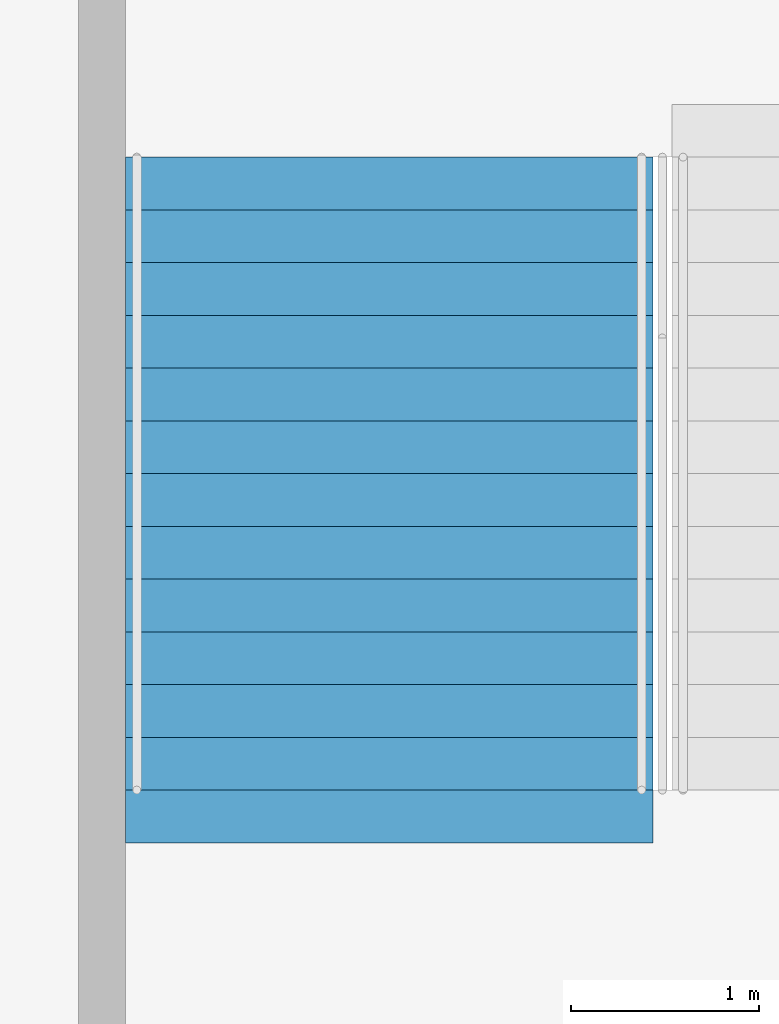
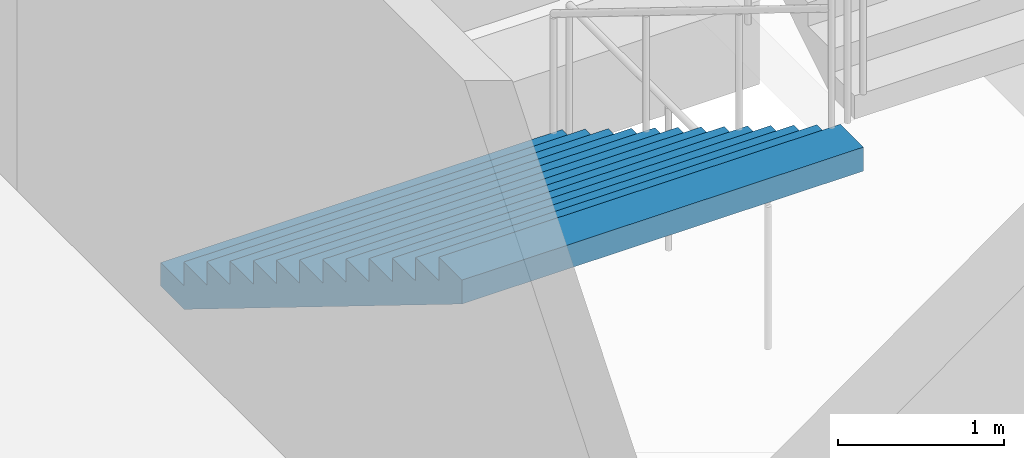
# One storey, part 134 of 249: 1 stair flight, 1 element without a shape of its own.
"""IFC4 building model written with IfcOpenShell, lengths in metres."""

from ifc_helpers import new_model, si_unit, direction, frame, origin, place, context, subcontext, project, spatial, faceted_brep, material, type_object, element, aggregate, save


model = new_model("IFC4")

# Units and contexts
model_context = context("Model", 3, precision=1e-05, world=origin(), true_north=direction((0.0, 1.0)))
body_context = subcontext(model_context, "Body", "Model", "MODEL_VIEW")
ifc_project = project(units=[si_unit("LENGTHUNIT", "METRE"), si_unit("AREAUNIT", "SQUARE_METRE"), si_unit("VOLUMEUNIT", "CUBIC_METRE"), si_unit("PLANEANGLEUNIT", "RADIAN"), si_unit("MASSUNIT", "GRAM", prefix="KILO")], contexts=[model_context])

# Site, building, storey
site_placement = place(None, origin())
site = spatial("IfcSite", under=ifc_project, at=site_placement, CompositionType="ELEMENT")
building_placement = place(site_placement, origin())
building = spatial("IfcBuilding", under=site, at=building_placement, Name="Ogive Plaza Stadium", CompositionType="ELEMENT")
storey_placement = place(building_placement, frame((0.0, 0.0, 13.5)))
storey = spatial("IfcBuildingStorey", under=building, at=storey_placement, Name="L03", CompositionType="ELEMENT", Elevation=13.5)

# Stair, stair flight
ifc_material_1 = material(Name="Concrete C40/50", Category="concrete")
stair_type = type_object("IfcStairType", Name="Exit stair", PredefinedType="STRAIGHT_RUN_STAIR", material=ifc_material_1)
stair_placement = place(storey_placement, origin())
stair = element("IfcStair", 1, at=stair_placement, inside=storey, type_object=stair_type, Name="Exit stair ST16A L03 to L04", PredefinedType="STRAIGHT_RUN_STAIR")
ifc_material_2 = material(Name="Concrete C40/50", Category="concrete")
stair_flight_type = type_object("IfcStairFlightType", Name="Exit stair flight", PredefinedType="STRAIGHT", material=ifc_material_2)
stair_flight_placement = place(storey_placement, frame((-24.824951171875, -94.85009765625, 0.0), z_axis=(0.0, 0.0, 1.0), x_axis=(0.0, -1.0, 0.0)))
stair_flight = element("IfcStairFlight", 2, at=stair_flight_placement, type_object=stair_flight_type, Name="ST16A flight 1", NumberOfRisers=13, NumberOfTreads=12, PredefinedType="STRAIGHT", RiserHeight=0.173076923, TreadLength=0.28, context=body_context, shape_type="Brep", body=[
    faceted_brep([(0.28515625, -1.39990234375, 0.0), (3.639892578125, -1.39990234375, 2.07373046875), (3.639892578125, -1.39990234375, 2.25), (3.360107421875, -1.39990234375, 2.25), (3.360107421875, -1.39990234375, 2.076904296875), (3.080078125, -1.39990234375, 2.076904296875), (3.080078125, -1.39990234375, 1.90380859375), (2.800048828125, -1.39990234375, 1.90380859375), (2.800048828125, -1.39990234375, 1.730712890625), (2.52001953125, -1.39990234375, 1.730712890625), (2.52001953125, -1.39990234375, 1.5576171875), (2.239990234375, -1.39990234375, 1.5576171875), (2.239990234375, -1.39990234375, 1.384521484375), (1.9599609375, -1.39990234375, 1.384521484375), (1.9599609375, -1.39990234375, 1.21142578125), (1.679931640625, -1.39990234375, 1.21142578125), (1.679931640625, -1.39990234375, 1.03857421875), (1.39990234375, -1.39990234375, 1.03857421875), (1.39990234375, -1.39990234375, 0.865478515625), (1.1201171875, -1.39990234375, 0.865478515625), (1.1201171875, -1.39990234375, 0.6923828125), (0.840087890625, -1.39990234375, 0.6923828125), (0.840087890625, -1.39990234375, 0.519287109375), (0.56005859375, -1.39990234375, 0.519287109375), (0.56005859375, -1.39990234375, 0.34619140625), (0.280029296875, -1.39990234375, 0.34619140625), (0.280029296875, -1.39990234375, 0.173095703125), (0.0, -1.39990234375, 0.173095703125), (0.0, -1.39990234375, 0.0), (0.0, 1.39990234375, 0.0), (0.0, 1.39990234375, 0.173095703125), (0.280029296875, 1.39990234375, 0.173095703125), (0.280029296875, 1.39990234375, 0.34619140625), (0.56005859375, 1.39990234375, 0.34619140625), (0.56005859375, 1.39990234375, 0.519287109375), (0.840087890625, 1.39990234375, 0.519287109375), (0.840087890625, 1.39990234375, 0.6923828125), (1.1201171875, 1.39990234375, 0.6923828125), (1.1201171875, 1.39990234375, 0.865478515625), (1.39990234375, 1.39990234375, 0.865478515625), (1.39990234375, 1.39990234375, 1.03857421875), (1.679931640625, 1.39990234375, 1.03857421875), (1.679931640625, 1.39990234375, 1.21142578125), (1.9599609375, 1.39990234375, 1.21142578125), (1.9599609375, 1.39990234375, 1.384521484375), (2.239990234375, 1.39990234375, 1.384521484375), (2.239990234375, 1.39990234375, 1.5576171875), (2.52001953125, 1.39990234375, 1.5576171875), (2.52001953125, 1.39990234375, 1.730712890625), (2.800048828125, 1.39990234375, 1.730712890625), (2.800048828125, 1.39990234375, 1.90380859375), (3.080078125, 1.39990234375, 1.90380859375), (3.080078125, 1.39990234375, 2.076904296875), (3.360107421875, 1.39990234375, 2.076904296875), (3.360107421875, 1.39990234375, 2.25), (3.639892578125, 1.39990234375, 2.25), (3.639892578125, 1.39990234375, 2.07373046875), (0.28515625, 1.39990234375, 0.0), (0.28515625, -1.0888671875, 0.0), (3.639892578125, -1.0888671875, 2.07373046875), (0.28515625, -0.77783203125, 0.0), (3.639892578125, -0.77783203125, 2.07373046875), (0.28515625, -0.466796875, 0.0), (3.639892578125, -0.466796875, 2.07373046875), (0.28515625, -0.155517578125, 0.0), (3.639892578125, -0.155517578125, 2.07373046875), (0.28515625, 0.155517578125, 0.0), (3.639892578125, 0.155517578125, 2.07373046875), (0.28515625, 0.466796875, 0.0), (3.639892578125, 0.466796875, 2.07373046875), (0.28515625, 0.77783203125, 0.0), (3.639892578125, 0.77783203125, 2.07373046875), (0.28515625, 1.0888671875, 0.0), (3.639892578125, 1.0888671875, 2.07373046875), (3.639892578125, -1.0888671875, 2.25), (3.639892578125, -0.77783203125, 2.25), (3.639892578125, -0.466796875, 2.25), (3.639892578125, -0.155517578125, 2.25), (3.639892578125, 0.155517578125, 2.25), (3.639892578125, 0.466796875, 2.25), (3.639892578125, 0.77783203125, 2.25), (3.639892578125, 1.0888671875, 2.25), (3.360107421875, -1.0888671875, 2.25), (3.360107421875, -0.77783203125, 2.25), (3.360107421875, -0.466796875, 2.25), (3.360107421875, -0.155517578125, 2.25), (3.360107421875, 0.155517578125, 2.25), (3.360107421875, 0.466796875, 2.25), (3.360107421875, 0.77783203125, 2.25), (3.360107421875, 1.0888671875, 2.25), (3.360107421875, -1.0888671875, 2.076904296875), (3.360107421875, -0.77783203125, 2.076904296875), (3.360107421875, -0.466796875, 2.076904296875), (3.360107421875, -0.155517578125, 2.076904296875), (3.360107421875, 0.155517578125, 2.076904296875), (3.360107421875, 0.466796875, 2.076904296875), (3.360107421875, 0.77783203125, 2.076904296875), (3.360107421875, 1.0888671875, 2.076904296875), (3.080078125, -1.0888671875, 2.076904296875), (3.080078125, -0.77783203125, 2.076904296875), (3.080078125, -0.466796875, 2.076904296875), (3.080078125, -0.155517578125, 2.076904296875), (3.080078125, 0.155517578125, 2.076904296875), (3.080078125, 0.466796875, 2.076904296875), (3.080078125, 0.77783203125, 2.076904296875), (3.080078125, 1.0888671875, 2.076904296875), (3.080078125, -1.0888671875, 1.90380859375), (3.080078125, -0.77783203125, 1.90380859375), (3.080078125, -0.466796875, 1.90380859375), (3.080078125, -0.155517578125, 1.90380859375), (3.080078125, 0.155517578125, 1.90380859375), (3.080078125, 0.466796875, 1.90380859375), (3.080078125, 0.77783203125, 1.90380859375), (3.080078125, 1.0888671875, 1.90380859375), (2.800048828125, -1.0888671875, 1.90380859375), (2.800048828125, -0.77783203125, 1.90380859375), (2.800048828125, -0.466796875, 1.90380859375), (2.800048828125, -0.155517578125, 1.90380859375), (2.800048828125, 0.155517578125, 1.90380859375), (2.800048828125, 0.466796875, 1.90380859375), (2.800048828125, 0.77783203125, 1.90380859375), (2.800048828125, 1.0888671875, 1.90380859375), (2.800048828125, -1.0888671875, 1.730712890625), (2.800048828125, -0.77783203125, 1.730712890625), (2.800048828125, -0.466796875, 1.730712890625), (2.800048828125, -0.155517578125, 1.730712890625), (2.800048828125, 0.155517578125, 1.730712890625), (2.800048828125, 0.466796875, 1.730712890625), (2.800048828125, 0.77783203125, 1.730712890625), (2.800048828125, 1.0888671875, 1.730712890625), (2.52001953125, -1.0888671875, 1.730712890625), (2.52001953125, -0.77783203125, 1.730712890625), (2.52001953125, -0.466796875, 1.730712890625), (2.52001953125, -0.155517578125, 1.730712890625), (2.52001953125, 0.155517578125, 1.730712890625), (2.52001953125, 0.466796875, 1.730712890625), (2.52001953125, 0.77783203125, 1.730712890625), (2.52001953125, 1.0888671875, 1.730712890625), (2.52001953125, -1.0888671875, 1.5576171875), (2.52001953125, -0.77783203125, 1.5576171875), (2.52001953125, -0.466796875, 1.5576171875), (2.52001953125, -0.155517578125, 1.5576171875), (2.52001953125, 0.155517578125, 1.5576171875), (2.52001953125, 0.466796875, 1.5576171875), (2.52001953125, 0.77783203125, 1.5576171875), (2.52001953125, 1.0888671875, 1.5576171875), (2.239990234375, -1.0888671875, 1.5576171875), (2.239990234375, -0.77783203125, 1.5576171875), (2.239990234375, -0.466796875, 1.5576171875), (2.239990234375, -0.155517578125, 1.5576171875), (2.239990234375, 0.155517578125, 1.5576171875), (2.239990234375, 0.466796875, 1.5576171875), (2.239990234375, 0.77783203125, 1.5576171875), (2.239990234375, 1.0888671875, 1.5576171875), (2.239990234375, -1.0888671875, 1.384521484375), (2.239990234375, -0.77783203125, 1.384521484375), (2.239990234375, -0.466796875, 1.384521484375), (2.239990234375, -0.155517578125, 1.384521484375), (2.239990234375, 0.155517578125, 1.384521484375), (2.239990234375, 0.466796875, 1.384521484375), (2.239990234375, 0.77783203125, 1.384521484375), (2.239990234375, 1.0888671875, 1.384521484375), (1.9599609375, -1.0888671875, 1.384521484375), (1.9599609375, -0.77783203125, 1.384521484375), (1.9599609375, -0.466796875, 1.384521484375), (1.9599609375, -0.155517578125, 1.384521484375), (1.9599609375, 0.155517578125, 1.384521484375), (1.9599609375, 0.466796875, 1.384521484375), (1.9599609375, 0.77783203125, 1.384521484375), (1.9599609375, 1.0888671875, 1.384521484375), (1.9599609375, -1.0888671875, 1.21142578125), (1.9599609375, -0.77783203125, 1.21142578125), (1.9599609375, -0.466796875, 1.21142578125), (1.9599609375, -0.155517578125, 1.21142578125), (1.9599609375, 0.155517578125, 1.21142578125), (1.9599609375, 0.466796875, 1.21142578125), (1.9599609375, 0.77783203125, 1.21142578125), (1.9599609375, 1.0888671875, 1.21142578125), (1.679931640625, -1.0888671875, 1.21142578125), (1.679931640625, -0.77783203125, 1.21142578125), (1.679931640625, -0.466796875, 1.21142578125), (1.679931640625, -0.155517578125, 1.21142578125), (1.679931640625, 0.155517578125, 1.21142578125), (1.679931640625, 0.466796875, 1.21142578125), (1.679931640625, 0.77783203125, 1.21142578125), (1.679931640625, 1.0888671875, 1.21142578125), (1.679931640625, -1.0888671875, 1.03857421875), (1.679931640625, -0.77783203125, 1.03857421875), (1.679931640625, -0.466796875, 1.03857421875), (1.679931640625, -0.155517578125, 1.03857421875), (1.679931640625, 0.155517578125, 1.03857421875), (1.679931640625, 0.466796875, 1.03857421875), (1.679931640625, 0.77783203125, 1.03857421875), (1.679931640625, 1.0888671875, 1.03857421875), (1.39990234375, -1.0888671875, 1.03857421875), (1.39990234375, -0.77783203125, 1.03857421875), (1.39990234375, -0.466796875, 1.03857421875), (1.39990234375, -0.155517578125, 1.03857421875), (1.39990234375, 0.155517578125, 1.03857421875), (1.39990234375, 0.466796875, 1.03857421875), (1.39990234375, 0.77783203125, 1.03857421875), (1.39990234375, 1.0888671875, 1.03857421875), (1.39990234375, -1.0888671875, 0.865478515625), (1.39990234375, -0.77783203125, 0.865478515625), (1.39990234375, -0.466796875, 0.865478515625), (1.39990234375, -0.155517578125, 0.865478515625), (1.39990234375, 0.155517578125, 0.865478515625), (1.39990234375, 0.466796875, 0.865478515625), (1.39990234375, 0.77783203125, 0.865478515625), (1.39990234375, 1.0888671875, 0.865478515625), (1.1201171875, -1.0888671875, 0.865478515625), (1.1201171875, -0.77783203125, 0.865478515625), (1.1201171875, -0.466796875, 0.865478515625), (1.1201171875, -0.155517578125, 0.865478515625), (1.1201171875, 0.155517578125, 0.865478515625), (1.1201171875, 0.466796875, 0.865478515625), (1.1201171875, 0.77783203125, 0.865478515625), (1.1201171875, 1.0888671875, 0.865478515625), (1.1201171875, -1.0888671875, 0.6923828125), (1.1201171875, -0.77783203125, 0.6923828125), (1.1201171875, -0.466796875, 0.6923828125), (1.1201171875, -0.155517578125, 0.6923828125), (1.1201171875, 0.155517578125, 0.6923828125), (1.1201171875, 0.466796875, 0.6923828125), (1.1201171875, 0.77783203125, 0.6923828125), (1.1201171875, 1.0888671875, 0.6923828125), (0.840087890625, -1.0888671875, 0.6923828125), (0.840087890625, -0.77783203125, 0.6923828125), (0.840087890625, -0.466796875, 0.6923828125), (0.840087890625, -0.155517578125, 0.6923828125), (0.840087890625, 0.155517578125, 0.6923828125), (0.840087890625, 0.466796875, 0.6923828125), (0.840087890625, 0.77783203125, 0.6923828125), (0.840087890625, 1.0888671875, 0.6923828125), (0.840087890625, -1.0888671875, 0.519287109375), (0.840087890625, -0.77783203125, 0.519287109375), (0.840087890625, -0.466796875, 0.519287109375), (0.840087890625, -0.155517578125, 0.519287109375), (0.840087890625, 0.155517578125, 0.519287109375), (0.840087890625, 0.466796875, 0.519287109375), (0.840087890625, 0.77783203125, 0.519287109375), (0.840087890625, 1.0888671875, 0.519287109375), (0.56005859375, -1.0888671875, 0.519287109375), (0.56005859375, -0.77783203125, 0.519287109375), (0.56005859375, -0.466796875, 0.519287109375), (0.56005859375, -0.155517578125, 0.519287109375), (0.56005859375, 0.155517578125, 0.519287109375), (0.56005859375, 0.466796875, 0.519287109375), (0.56005859375, 0.77783203125, 0.519287109375), (0.56005859375, 1.0888671875, 0.519287109375), (0.56005859375, -1.0888671875, 0.34619140625), (0.56005859375, -0.77783203125, 0.34619140625), (0.56005859375, -0.466796875, 0.34619140625), (0.56005859375, -0.155517578125, 0.34619140625), (0.56005859375, 0.155517578125, 0.34619140625), (0.56005859375, 0.466796875, 0.34619140625), (0.56005859375, 0.77783203125, 0.34619140625), (0.56005859375, 1.0888671875, 0.34619140625), (0.280029296875, -1.0888671875, 0.34619140625), (0.280029296875, -0.77783203125, 0.34619140625), (0.280029296875, -0.466796875, 0.34619140625), (0.280029296875, -0.155517578125, 0.34619140625), (0.280029296875, 0.155517578125, 0.34619140625), (0.280029296875, 0.466796875, 0.34619140625), (0.280029296875, 0.77783203125, 0.34619140625), (0.280029296875, 1.0888671875, 0.34619140625), (0.280029296875, -1.0888671875, 0.173095703125), (0.280029296875, -0.77783203125, 0.173095703125), (0.280029296875, -0.466796875, 0.173095703125), (0.280029296875, -0.155517578125, 0.173095703125), (0.280029296875, 0.155517578125, 0.173095703125), (0.280029296875, 0.466796875, 0.173095703125), (0.280029296875, 0.77783203125, 0.173095703125), (0.280029296875, 1.0888671875, 0.173095703125), (0.0, -1.0888671875, 0.173095703125), (0.0, -0.77783203125, 0.173095703125), (0.0, -0.466796875, 0.173095703125), (0.0, -0.155517578125, 0.173095703125), (0.0, 0.155517578125, 0.173095703125), (0.0, 0.466796875, 0.173095703125), (0.0, 0.77783203125, 0.173095703125), (0.0, 1.0888671875, 0.173095703125), (0.0, -1.0888671875, 0.0), (0.0, -0.77783203125, 0.0), (0.0, -0.466796875, 0.0), (0.0, -0.155517578125, 0.0), (0.0, 0.155517578125, 0.0), (0.0, 0.466796875, 0.0), (0.0, 0.77783203125, 0.0), (0.0, 1.0888671875, 0.0)], [[[0, 1, 2, 3, 4, 5, 6, 7, 8, 9, 10, 11, 12, 13, 14, 15, 16, 17, 18, 19, 20, 21, 22, 23, 24, 25, 26, 27, 28]], [[29, 30, 31, 32, 33, 34, 35, 36, 37, 38, 39, 40, 41, 42, 43, 44, 45, 46, 47, 48, 49, 50, 51, 52, 53, 54, 55, 56, 57]], [[0, 58, 59, 1]], [[58, 60, 61, 59]], [[60, 62, 63, 61]], [[62, 64, 65, 63]], [[64, 66, 67, 65]], [[66, 68, 69, 67]], [[68, 70, 71, 69]], [[70, 72, 73, 71]], [[72, 57, 56, 73]], [[1, 59, 74, 2]], [[59, 61, 75, 74]], [[61, 63, 76, 75]], [[63, 65, 77, 76]], [[65, 67, 78, 77]], [[67, 69, 79, 78]], [[69, 71, 80, 79]], [[71, 73, 81, 80]], [[73, 56, 55, 81]], [[2, 74, 82, 3]], [[74, 75, 83, 82]], [[75, 76, 84, 83]], [[76, 77, 85, 84]], [[77, 78, 86, 85]], [[78, 79, 87, 86]], [[79, 80, 88, 87]], [[80, 81, 89, 88]], [[81, 55, 54, 89]], [[3, 82, 90, 4]], [[82, 83, 91, 90]], [[83, 84, 92, 91]], [[84, 85, 93, 92]], [[85, 86, 94, 93]], [[86, 87, 95, 94]], [[87, 88, 96, 95]], [[88, 89, 97, 96]], [[89, 54, 53, 97]], [[4, 90, 98, 5]], [[90, 91, 99, 98]], [[91, 92, 100, 99]], [[92, 93, 101, 100]], [[93, 94, 102, 101]], [[94, 95, 103, 102]], [[95, 96, 104, 103]], [[96, 97, 105, 104]], [[97, 53, 52, 105]], [[5, 98, 106, 6]], [[98, 99, 107, 106]], [[99, 100, 108, 107]], [[100, 101, 109, 108]], [[101, 102, 110, 109]], [[102, 103, 111, 110]], [[103, 104, 112, 111]], [[104, 105, 113, 112]], [[105, 52, 51, 113]], [[6, 106, 114, 7]], [[106, 107, 115, 114]], [[107, 108, 116, 115]], [[108, 109, 117, 116]], [[109, 110, 118, 117]], [[110, 111, 119, 118]], [[111, 112, 120, 119]], [[112, 113, 121, 120]], [[113, 51, 50, 121]], [[7, 114, 122, 8]], [[114, 115, 123, 122]], [[115, 116, 124, 123]], [[116, 117, 125, 124]], [[117, 118, 126, 125]], [[118, 119, 127, 126]], [[119, 120, 128, 127]], [[120, 121, 129, 128]], [[121, 50, 49, 129]], [[8, 122, 130, 9]], [[122, 123, 131, 130]], [[123, 124, 132, 131]], [[124, 125, 133, 132]], [[125, 126, 134, 133]], [[126, 127, 135, 134]], [[127, 128, 136, 135]], [[128, 129, 137, 136]], [[129, 49, 48, 137]], [[9, 130, 138, 10]], [[130, 131, 139, 138]], [[131, 132, 140, 139]], [[132, 133, 141, 140]], [[133, 134, 142, 141]], [[134, 135, 143, 142]], [[135, 136, 144, 143]], [[136, 137, 145, 144]], [[137, 48, 47, 145]], [[10, 138, 146, 11]], [[138, 139, 147, 146]], [[139, 140, 148, 147]], [[140, 141, 149, 148]], [[141, 142, 150, 149]], [[142, 143, 151, 150]], [[143, 144, 152, 151]], [[144, 145, 153, 152]], [[145, 47, 46, 153]], [[11, 146, 154, 12]], [[146, 147, 155, 154]], [[147, 148, 156, 155]], [[148, 149, 157, 156]], [[149, 150, 158, 157]], [[150, 151, 159, 158]], [[151, 152, 160, 159]], [[152, 153, 161, 160]], [[153, 46, 45, 161]], [[12, 154, 162, 13]], [[154, 155, 163, 162]], [[155, 156, 164, 163]], [[156, 157, 165, 164]], [[157, 158, 166, 165]], [[158, 159, 167, 166]], [[159, 160, 168, 167]], [[160, 161, 169, 168]], [[161, 45, 44, 169]], [[13, 162, 170, 14]], [[162, 163, 171, 170]], [[163, 164, 172, 171]], [[164, 165, 173, 172]], [[165, 166, 174, 173]], [[166, 167, 175, 174]], [[167, 168, 176, 175]], [[168, 169, 177, 176]], [[169, 44, 43, 177]], [[14, 170, 178, 15]], [[170, 171, 179, 178]], [[171, 172, 180, 179]], [[172, 173, 181, 180]], [[173, 174, 182, 181]], [[174, 175, 183, 182]], [[175, 176, 184, 183]], [[176, 177, 185, 184]], [[177, 43, 42, 185]], [[15, 178, 186, 16]], [[178, 179, 187, 186]], [[179, 180, 188, 187]], [[180, 181, 189, 188]], [[181, 182, 190, 189]], [[182, 183, 191, 190]], [[183, 184, 192, 191]], [[184, 185, 193, 192]], [[185, 42, 41, 193]], [[16, 186, 194, 17]], [[186, 187, 195, 194]], [[187, 188, 196, 195]], [[188, 189, 197, 196]], [[189, 190, 198, 197]], [[190, 191, 199, 198]], [[191, 192, 200, 199]], [[192, 193, 201, 200]], [[193, 41, 40, 201]], [[17, 194, 202, 18]], [[194, 195, 203, 202]], [[195, 196, 204, 203]], [[196, 197, 205, 204]], [[197, 198, 206, 205]], [[198, 199, 207, 206]], [[199, 200, 208, 207]], [[200, 201, 209, 208]], [[201, 40, 39, 209]], [[18, 202, 210, 19]], [[202, 203, 211, 210]], [[203, 204, 212, 211]], [[204, 205, 213, 212]], [[205, 206, 214, 213]], [[206, 207, 215, 214]], [[207, 208, 216, 215]], [[208, 209, 217, 216]], [[209, 39, 38, 217]], [[19, 210, 218, 20]], [[210, 211, 219, 218]], [[211, 212, 220, 219]], [[212, 213, 221, 220]], [[213, 214, 222, 221]], [[214, 215, 223, 222]], [[215, 216, 224, 223]], [[216, 217, 225, 224]], [[217, 38, 37, 225]], [[20, 218, 226, 21]], [[218, 219, 227, 226]], [[219, 220, 228, 227]], [[220, 221, 229, 228]], [[221, 222, 230, 229]], [[222, 223, 231, 230]], [[223, 224, 232, 231]], [[224, 225, 233, 232]], [[225, 37, 36, 233]], [[21, 226, 234, 22]], [[226, 227, 235, 234]], [[227, 228, 236, 235]], [[228, 229, 237, 236]], [[229, 230, 238, 237]], [[230, 231, 239, 238]], [[231, 232, 240, 239]], [[232, 233, 241, 240]], [[233, 36, 35, 241]], [[22, 234, 242, 23]], [[234, 235, 243, 242]], [[235, 236, 244, 243]], [[236, 237, 245, 244]], [[237, 238, 246, 245]], [[238, 239, 247, 246]], [[239, 240, 248, 247]], [[240, 241, 249, 248]], [[241, 35, 34, 249]], [[23, 242, 250, 24]], [[242, 243, 251, 250]], [[243, 244, 252, 251]], [[244, 245, 253, 252]], [[245, 246, 254, 253]], [[246, 247, 255, 254]], [[247, 248, 256, 255]], [[248, 249, 257, 256]], [[249, 34, 33, 257]], [[24, 250, 258, 25]], [[250, 251, 259, 258]], [[251, 252, 260, 259]], [[252, 253, 261, 260]], [[253, 254, 262, 261]], [[254, 255, 263, 262]], [[255, 256, 264, 263]], [[256, 257, 265, 264]], [[257, 33, 32, 265]], [[25, 258, 266, 26]], [[258, 259, 267, 266]], [[259, 260, 268, 267]], [[260, 261, 269, 268]], [[261, 262, 270, 269]], [[262, 263, 271, 270]], [[263, 264, 272, 271]], [[264, 265, 273, 272]], [[265, 32, 31, 273]], [[26, 266, 274, 27]], [[266, 267, 275, 274]], [[267, 268, 276, 275]], [[268, 269, 277, 276]], [[269, 270, 278, 277]], [[270, 271, 279, 278]], [[271, 272, 280, 279]], [[272, 273, 281, 280]], [[273, 31, 30, 281]], [[27, 274, 282, 28]], [[274, 275, 283, 282]], [[275, 276, 284, 283]], [[276, 277, 285, 284]], [[277, 278, 286, 285]], [[278, 279, 287, 286]], [[279, 280, 288, 287]], [[280, 281, 289, 288]], [[281, 30, 29, 289]], [[28, 282, 58, 0]], [[282, 283, 60, 58]], [[283, 284, 62, 60]], [[284, 285, 64, 62]], [[285, 286, 66, 64]], [[286, 287, 68, 66]], [[287, 288, 70, 68]], [[288, 289, 72, 70]], [[289, 29, 57, 72]]]),
])
aggregate(stair, [stair_flight])

save(model, "model.ifc")
